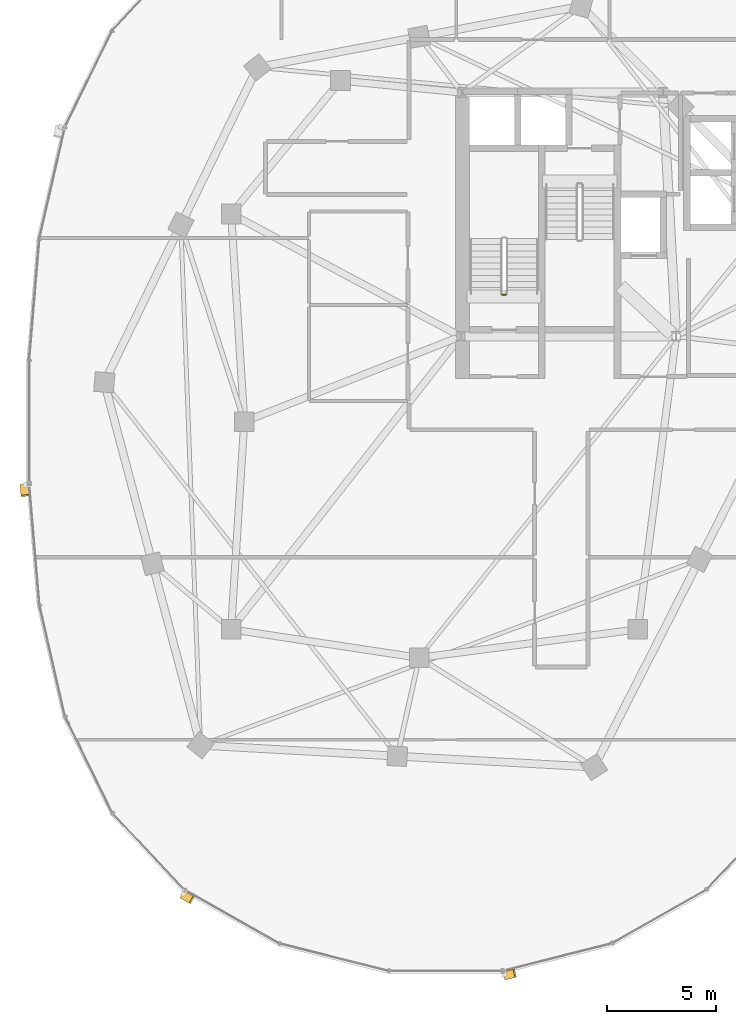
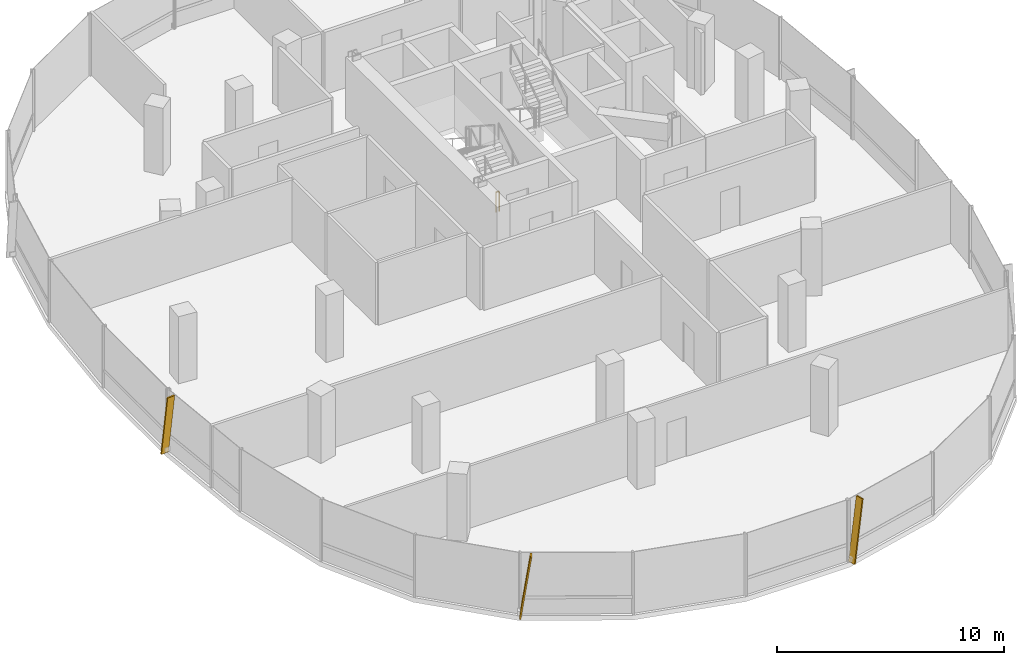
# One storey, part 21 of 25: 3 shading devices, 1 railing.
"""IFC4 building model written with IfcOpenShell, lengths in metres."""

import ifcopenshell
import ifcopenshell.guid

model = None  # the IFC model being written
_history = None  # IfcOwnerHistory: only IFC2X3 demands one
_inside = {}  # id of a spatial element -> (the spatial element, [elements in it])
_under = {}  # id of a project, library or spatial element -> (it, [spatial elements below it])
_declared = {}  # id of a project -> (the project, [libraries it declares])
_typed = {}  # id of a type object -> (the type object, [elements of that type])
_made_of = {}  # id of a material, layer set ... -> (it, [elements and type objects made of it])


def new_model(schema):
    """Start an empty IFC model of exactly this schema.

    Asked for "IFC4X3", IfcOpenShell would pick the latest addendum, in which some entities
    have other attributes; the version numbers below select the first issue.
    IFC2X3 requires an IfcOwnerHistory on every rooted entity: one is made here for all.
    """
    global model, _history
    if schema == "IFC4X3":
        model = ifcopenshell.file(schema_version=(4, 3, 0, 0))
    else:
        model = ifcopenshell.file(schema=schema)
    _inside.clear()
    _under.clear()
    _declared.clear()
    _typed.clear()
    _made_of.clear()
    _history = None
    if model.schema == "IFC2X3":
        org = make("IfcOrganization", Name="unknown")
        user = make(
            "IfcPersonAndOrganization",
            ThePerson=make("IfcPerson", FamilyName="unknown"),
            TheOrganization=org,
        )
        app = make(
            "IfcApplication",
            ApplicationDeveloper=org,
            Version="unknown",
            ApplicationFullName="unknown",
            ApplicationIdentifier="unknown",
        )
        _history = make(
            "IfcOwnerHistory",
            OwningUser=user,
            OwningApplication=app,
            ChangeAction="ADDED",
            CreationDate=0,
        )
    return model


def make(cls, **values):
    """One entity of the class cls with the attributes given. An attribute that is None is left unset."""
    return model.create_entity(
        cls, **{name: value for name, value in values.items() if value is not None}
    )


def rooted(cls, **values):
    """An entity with a GlobalId (a new one), such as an element, a storey or a relation."""
    return make(cls, GlobalId=ifcopenshell.guid.new(), OwnerHistory=_history, **values)


def si_unit(unit_type, name, prefix=None):
    """IfcSIUnit, for example si_unit("LENGTHUNIT", "METRE", prefix="MILLI")."""
    return make("IfcSIUnit", UnitType=unit_type, Prefix=prefix, Name=name)


def assignment(units):
    """IfcUnitAssignment: the units of a project."""
    return None if units is None else make("IfcUnitAssignment", Units=units)


def point(xyz):
    """IfcCartesianPoint."""
    return None if xyz is None else make("IfcCartesianPoint", Coordinates=xyz)


def direction(xyz):
    """IfcDirection."""
    return None if xyz is None else make("IfcDirection", DirectionRatios=xyz)


def frame(location, z_axis=None, x_axis=None):
    """IfcAxis2Placement3D, a coordinate frame: its origin and axes. An axis left out is left unset."""
    return make(
        "IfcAxis2Placement3D",
        Location=point(location),
        Axis=direction(z_axis),
        RefDirection=direction(x_axis),
    )


def frame_2d(location, x_axis=None):
    """IfcAxis2Placement2D, a coordinate frame in the plane: its origin and x axis."""
    return make(
        "IfcAxis2Placement2D", Location=point(location), RefDirection=direction(x_axis)
    )


def origin():
    """The frame at (0, 0, 0) with its axes left unset."""
    return frame((0.0, 0.0, 0.0))


def origin_2d():
    """The frame at (0, 0) in the plane with its x axis left unset."""
    return frame_2d((0.0, 0.0))


def place(relative_to, where):
    """IfcLocalPlacement: puts the frame where relative to a parent placement (None: the world)."""
    return make(
        "IfcLocalPlacement", PlacementRelTo=relative_to, RelativePlacement=where
    )


def context(
    kind, dimensions, precision=None, world=None, true_north=None, identifier=None
):
    """IfcGeometricRepresentationContext, for example the 3D "Model" context."""
    return make(
        "IfcGeometricRepresentationContext",
        ContextIdentifier=identifier,
        ContextType=kind,
        CoordinateSpaceDimension=dimensions,
        Precision=precision,
        WorldCoordinateSystem=world,
        TrueNorth=true_north,
    )


def subcontext(parent, identifier, kind, view, scale=None):
    """IfcGeometricRepresentationSubContext, for example "Body" below "Model"."""
    return make(
        "IfcGeometricRepresentationSubContext",
        ContextIdentifier=identifier,
        ContextType=kind,
        ParentContext=parent,
        TargetScale=scale,
        TargetView=view,
    )


def project(units=None, contexts=None):
    """IfcProject with its units and contexts."""
    return rooted(
        "IfcProject",
        Name="project",
        RepresentationContexts=contexts,
        UnitsInContext=assignment(units),
    )


def spatial(cls, under=None, at=None, **own):
    """A site, building, storey or space (cls), placed at a placement, below another one or the project."""
    s = rooted(cls, ObjectPlacement=at, **own)
    if under is not None:
        _under.setdefault(under.id(), (under, []))[1].append(s)
    return s


def profile(cls, at=None, kind="AREA", **sizes):
    """A parametric profile (cls). Its sizes go by their IFC names, for example OverallWidth=200.0."""
    return make(cls, ProfileType=kind, Position=at, **sizes)


def rectangle(**sizes):
    """IfcRectangleProfileDef."""
    return profile("IfcRectangleProfileDef", **sizes)


def extrude(swept, where, along, depth):
    """IfcExtrudedAreaSolid: the profile swept, set in the frame where, extruded along a direction by depth."""
    return make(
        "IfcExtrudedAreaSolid",
        SweptArea=swept,
        Position=where,
        ExtrudedDirection=direction(along),
        Depth=depth,
    )


def shape(context_of_items, identifier, shape_type, items):
    """IfcShapeRepresentation: the items that make up one representation, for example the "Body"."""
    return make(
        "IfcShapeRepresentation",
        ContextOfItems=context_of_items,
        RepresentationIdentifier=identifier,
        RepresentationType=shape_type,
        Items=items,
    )


def material(Name=None, Category=None):
    """IfcMaterial."""
    return make("IfcMaterial", Name=Name, Category=Category)


def material_profile(
    of_material, cross_section, Name=None, Category=None, Priority=None
):
    """IfcMaterialProfile: a cross section and its material."""
    return make(
        "IfcMaterialProfile",
        Name=Name,
        Material=of_material,
        Profile=cross_section,
        Priority=Priority,
        Category=Category,
    )


def profile_set(profiles, Name=None, composite=None):
    """IfcMaterialProfileSet."""
    return make(
        "IfcMaterialProfileSet",
        Name=Name,
        MaterialProfiles=profiles,
        CompositeProfile=composite,
    )


def made_of(thing, what):
    """Note that an element or type object is made of a material, layer set ...; save() writes the relation."""
    if what is not None:
        _made_of.setdefault(what.id(), (what, []))[1].append(thing)
    return thing


def type_object(cls, material=None, **own):
    """A type object (cls), such as IfcWallType, which elements share."""
    return made_of(rooted(cls, **own), material)


def element(
    cls,
    number,
    at=None,
    inside=None,
    cuts=None,
    type_object=None,
    material=None,
    context=None,
    identifier="Body",
    shape_type=None,
    held_by="IfcProductDefinitionShape",
    body=None,
    shapes=None,
    **own,
):
    """One element of the class cls, such as IfcWall. Its Tag is "e" and its number.

    at: its placement. inside: the storey or other place that contains it. cuts: it is an
    opening in that element (IfcRelVoidsElement). A single representation is given by context,
    identifier, shape_type and body (its items); several are given by shapes. held_by: the class
    of the entity that holds the representations. save() writes the other relations.
    """
    e = rooted(cls, Tag="e%d" % number, ObjectPlacement=at, **own)
    if body is not None:
        shapes = [shape(context, identifier, shape_type, body)]
    if shapes is not None:
        e.Representation = make(held_by, Representations=shapes)
    if inside is not None:
        _inside.setdefault(inside.id(), (inside, []))[1].append(e)
    if cuts is not None:
        rooted(
            "IfcRelVoidsElement", RelatingBuildingElement=cuts, RelatedOpeningElement=e
        )
    if type_object is not None:
        _typed.setdefault(type_object.id(), (type_object, []))[1].append(e)
    return made_of(e, material)


def aggregate(whole, parts):
    """IfcRelAggregates: a whole, such as a stair, and the parts it consists of."""
    return rooted("IfcRelAggregates", RelatingObject=whole, RelatedObjects=parts)


def save(model, path):
    """Write the relations noted so far, then the file.

    IfcRelAggregates (storeys below a building ...), IfcRelContainedInSpatialStructure (elements
    in a storey), IfcRelDefinesByType, IfcRelAssociatesMaterial and IfcRelDeclares: one each for
    every whole, place, type object, material and project.
    """
    for whole, parts in _under.values():
        aggregate(whole, parts)
    for where, things in _inside.values():
        rooted(
            "IfcRelContainedInSpatialStructure",
            RelatedElements=things,
            RelatingStructure=where,
        )
    for kind, things in _typed.values():
        rooted("IfcRelDefinesByType", RelatedObjects=things, RelatingType=kind)
    for what, things in _made_of.values():
        rooted("IfcRelAssociatesMaterial", RelatedObjects=things, RelatingMaterial=what)
    for by, libraries in _declared.values():
        rooted("IfcRelDeclares", RelatingContext=by, RelatedDefinitions=libraries)
    model.write(path)


model = new_model("IFC4")

# Units and contexts
model_context = context("Model", 3, precision=1e-05, world=origin(), true_north=direction((0.0, 1.0)))
body_context = subcontext(model_context, "Body", "Model", "MODEL_VIEW")
ifc_project = project(units=[si_unit("LENGTHUNIT", "METRE"), si_unit("AREAUNIT", "SQUARE_METRE"), si_unit("VOLUMEUNIT", "CUBIC_METRE"), si_unit("PLANEANGLEUNIT", "RADIAN"), si_unit("MASSUNIT", "GRAM", prefix="KILO"), si_unit("THERMODYNAMICTEMPERATUREUNIT", "KELVIN"), si_unit("POWERUNIT", "WATT")], contexts=[model_context])

# Site, building, storey
site_placement = place(None, origin())
site = spatial("IfcSite", under=ifc_project, at=site_placement, CompositionType="ELEMENT")
building_placement = place(site_placement, origin())
building = spatial("IfcBuilding", under=site, at=building_placement, Name="Cundina Bronze Exchange", CompositionType="ELEMENT")
storey_placement = place(building_placement, frame((0.0, 0.0, 220.60009765625)))
storey = spatial("IfcBuildingStorey", under=building, at=storey_placement, Name="L58", CompositionType="ELEMENT", Elevation=220.60009765625)

# Railing
ifc_material_1 = material(Name="Steel ASTM A36 Painted", Category="steel")
railing_type = type_object("IfcRailingType", Name="RLG-STG-1100", PredefinedType="GUARDRAIL", material=ifc_material_1)
railing_placement = place(storey_placement, frame((-29.239990234375, 5.800048828125, 0.0)))
element("IfcRailing", 1, at=railing_placement, inside=storey, type_object=railing_type, Name="L58 ST-W1 stair guard 4", PredefinedType="GUARDRAIL", context=body_context, shape_type="SweptSolid", body=[
    extrude(rectangle(XDim=0.048095703125, YDim=0.048095703125, at=origin_2d()), frame((0.0, 0.0, 1.076171875), z_axis=(-1.0, 0.0, 0.0), x_axis=(0.0, -1.0, 0.0)), (0.0, 0.0, 1.0), 0.159912109375),
    extrude(rectangle(XDim=0.0419921875, YDim=0.0419921875, at=origin_2d()), origin(), (0.0, 0.0, 1.0), 1.052001953125),
    extrude(rectangle(XDim=0.0419921875, YDim=0.0419921875, at=origin_2d()), frame((-0.159912109375, 0.0, 0.0)), (0.0, 0.0, 1.0), 1.052001953125),
])

# Shading devices
ifc_material_2 = material(Name="Anodised Bronze Aluminium 6063-T6", Category="aluminium")
ifc_material_profile = material_profile(ifc_material_2, rectangle(XDim=0.070068359375, YDim=0.3798828125, at=origin_2d()), Name="FIN70X380", Category="aluminium")
ifc_profile_set = profile_set([ifc_material_profile], Name="Anodised Bronze Aluminium 6063-T6")
shading_device_type = type_object("IfcShadingDeviceType", Name="SHD-FIN-BRZ380", PredefinedType="USERDEFINED", material=ifc_profile_set)
for number, where, z_axis, x_axis, name in (
    (2, (-51.264404296875, -2.90283203125, 0.02001953125), (0.012007425696, -0.143430164259, 0.989587595774), (-0.082555708425, 0.986138004904, 0.143931894628), "L58 Diagonal Bronze Solar Fin 1"),
    (3, (-44.015625, -21.635498046875, 0.02001953125), (0.125198584402, -0.071092295587, 0.989581325598), (-0.86052566695, 0.48863767404, 0.143974997927), "L58 Diagonal Bronze Solar Fin 5"),
    (4, (-29.294189453125, -25.344482421875, 0.02001953125), (0.139622006633, 0.035143452115, 0.989581039146), (-0.959648570899, -0.241547621411, 0.143976966779), "L58 Diagonal Bronze Solar Fin 1"),
):
    element("IfcShadingDevice", number, at=place(storey_placement, frame(where, z_axis=z_axis, x_axis=x_axis)), inside=storey, type_object=shading_device_type, Name=name, ObjectType="FIN", PredefinedType="USERDEFINED", context=body_context, shape_type="SweptSolid", body=[
        extrude(rectangle(XDim=0.070068359375, YDim=0.3798828125, at=origin_2d()), origin(), (0.0, 0.0, 1.0), 3.33447265625),
    ])

save(model, "model.ifc")
